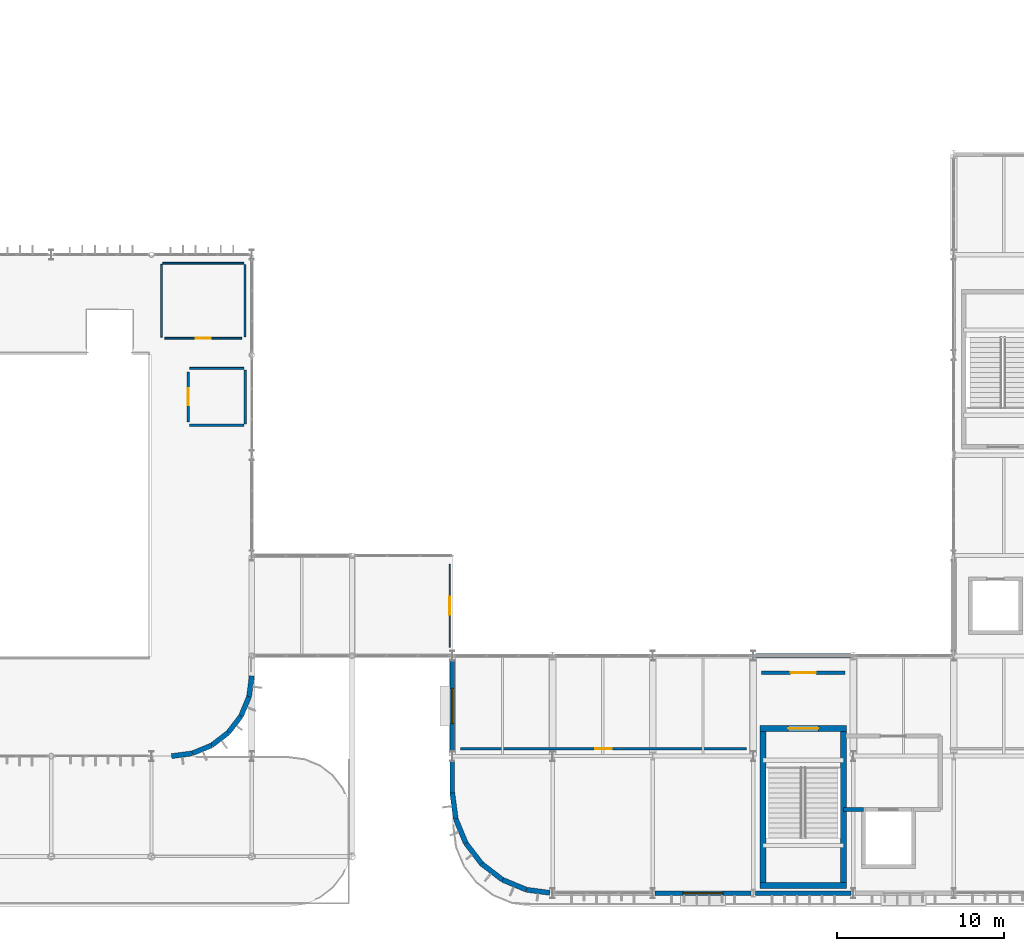
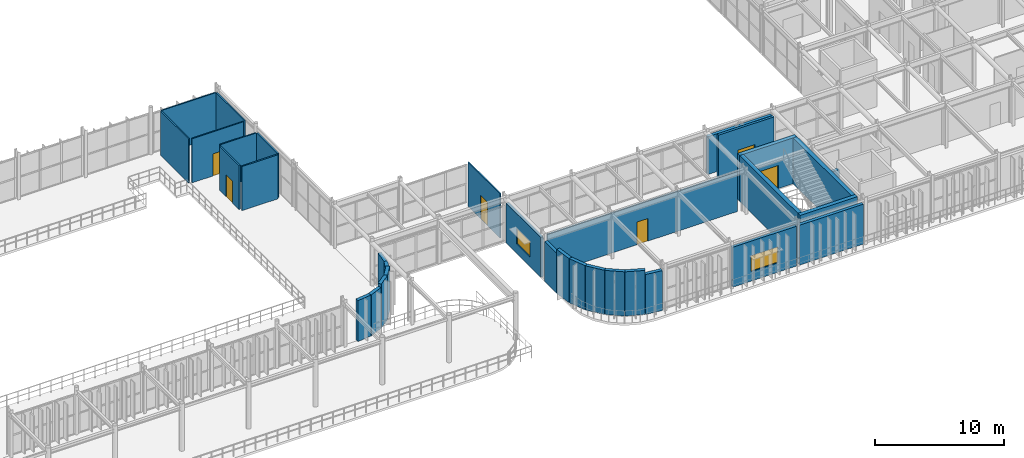
# One storey, part 65 of 96: 33 walls, 6 doors, 2 windows, 8 openings.
"""IFC4 building model written with IfcOpenShell, lengths in metres."""

from ifc_helpers import new_model, si_unit, direction, frame, frame_2d, origin, place, context, subcontext, project, spatial, rectangle, extrude, material, layer, layer_set, type_object, element, fill, save


model = new_model("IFC4")

# Units and contexts
model_context = context("Model", 3, precision=1e-05, world=origin(), true_north=direction((0.0, 1.0)))
body_context = subcontext(model_context, "Body", "Model", "MODEL_VIEW")
ifc_project = project(units=[si_unit("LENGTHUNIT", "METRE"), si_unit("AREAUNIT", "SQUARE_METRE"), si_unit("VOLUMEUNIT", "CUBIC_METRE"), si_unit("PLANEANGLEUNIT", "RADIAN"), si_unit("MASSUNIT", "GRAM", prefix="KILO")], contexts=[model_context])

# Site, building, storey
site_placement = place(None, origin())
site = spatial("IfcSite", under=ifc_project, at=site_placement, CompositionType="ELEMENT")
building_placement = place(site_placement, origin())
building = spatial("IfcBuilding", under=site, at=building_placement, Name="Varnakota Square Police Headquarters", CompositionType="ELEMENT")
storey_placement = place(building_placement, frame((0.0, 0.0, 4.800048828125)))
storey = spatial("IfcBuildingStorey", under=building, at=storey_placement, Name="L01", CompositionType="ELEMENT", Elevation=4.800048828125)

# Walls
ifc_material_1 = material(Name="Concrete M50", Category="concrete")
ifc_layer_1 = layer(ifc_material_1, 0.35009765625, Name="Concrete M50")
ifc_layer_set_1 = layer_set([ifc_layer_1], Name="Concrete M50")
wall_type_1 = type_object("IfcWallType", Name="WL-CORE-350", PredefinedType="SHEAR", material=ifc_layer_set_1)
wall_1_placement = place(storey_placement, frame((126.425048828125, 1.25, 0.0), z_axis=(0.0, 0.0, 1.0), x_axis=(1.0, 0.0, 0.0)))
element("IfcWall", 1, at=wall_1_placement, inside=storey, type_object=wall_type_1, Name="Core C1 shear wall L01 S", PredefinedType="SHEAR", context=body_context, shape_type="SweptSolid", body=[
    extrude(rectangle(XDim=5.14990234375, YDim=0.35009765625, at=frame_2d((2.574951171875, 0.0))), origin(), (0.0, 0.0, 1.0), 4.35986328125),
])
wall_2_placement = place(storey_placement, frame((131.39990234375, 1.074951171875, 0.0), z_axis=(0.0, 0.0, 1.0), x_axis=(0.0, 1.0, 0.0)))
element("IfcWall", 2, at=wall_2_placement, inside=storey, type_object=wall_type_1, Name="Core C1 shear wall L01 E", PredefinedType="SHEAR", context=body_context, shape_type="SweptSolid", body=[
    extrude(rectangle(XDim=9.75, YDim=0.35009765625, at=frame_2d((4.875, 0.0))), origin(), (0.0, 0.0, 1.0), 4.35986328125),
])

# Wall, opening, door
wall_3_placement = place(storey_placement, frame((131.574951171875, 10.64990234375, 0.0), z_axis=(0.0, 0.0, 1.0), x_axis=(-1.0, 0.0, 0.0)))
wall_3 = element("IfcWall", 3, at=wall_3_placement, inside=storey, type_object=wall_type_1, Name="Core C1 shear wall L01 N", PredefinedType="SHEAR", context=body_context, shape_type="SweptSolid", body=[
    extrude(rectangle(XDim=5.14990234375, YDim=0.35009765625, at=frame_2d((2.574951171875, 0.0))), origin(), (0.0, 0.0, 1.0), 4.35986328125),
])
opening_1_placement = place(wall_3_placement, frame((1.675048828125, 0.0, 0.0)))
opening_1 = element("IfcOpeningElement", 4, at=opening_1_placement, cuts=wall_3, Name="Opening SD002", PredefinedType="OPENING", context=body_context, shape_type="SweptSolid", body=[
    extrude(rectangle(XDim=1.800048828125, YDim=2.199951171875, at=frame_2d((0.89990234375, 1.10009765625))), frame((0.0, 0.18505859375, 0.0), z_axis=(0.0, -1.0, 0.0), x_axis=(1.0, 0.0, 0.0)), (0.0, 0.0, 1.0), 0.3701171875),
])
ifc_material_2 = material(Name="Powder-Coated Galvanised Steel", Category="steel")
door_type_1 = type_object("IfcDoorType", Name="DR-ST-180", OperationType="NOTDEFINED", PredefinedType="DOOR", material=ifc_material_2)
door_1_placement = place(opening_1_placement, origin())
door_1 = element("IfcDoor", 5, at=door_1_placement, inside=storey, type_object=door_type_1, Name="Protected stair door SD002", OperationType="DOUBLE_DOOR_SINGLE_SWING", OverallHeight=2.199951171875, OverallWidth=1.800048828125, PredefinedType="DOOR", context=body_context, shape_type="SweptSolid", body=[
    extrude(rectangle(XDim=1.800048828125, YDim=2.199951171875, at=frame_2d((0.89990234375, 1.10009765625))), frame((0.0, 0.02490234375, 0.0), z_axis=(0.0, -1.0, 0.0), x_axis=(1.0, 0.0, 0.0)), (0.0, 0.0, 1.0), 0.050048828125),
])
fill(opening_1, door_1)

# Wall
wall_4_placement = place(storey_placement, frame((126.60009765625, 10.824951171875, 0.0), z_axis=(0.0, 0.0, 1.0), x_axis=(0.0, -1.0, 0.0)))
element("IfcWall", 6, at=wall_4_placement, inside=storey, type_object=wall_type_1, Name="Core C1 shear wall L01 W", PredefinedType="SHEAR", context=body_context, shape_type="SweptSolid", body=[
    extrude(rectangle(XDim=9.75, YDim=0.35009765625, at=frame_2d((4.875, 0.0))), origin(), (0.0, 0.0, 1.0), 4.35986328125),
])

# Wall, opening, window
ifc_material_3 = material(Name="Concrete M40", Category="concrete")
ifc_layer_2 = layer(ifc_material_3, 0.260009765625, Name="Concrete M40")
ifc_layer_set_2 = layer_set([ifc_layer_2], Name="Concrete M40")
wall_type_2 = type_object("IfcWallType", Name="WL-EXT-260", PredefinedType="SOLIDWALL", material=ifc_layer_set_2)
wall_5_placement = place(storey_placement, frame((120.12890625, 0.800048828125, 0.0), z_axis=(0.0, 0.0, 1.0), x_axis=(1.0, 0.0, 0.0)))
wall_5 = element("IfcWall", 7, at=wall_5_placement, inside=storey, type_object=wall_type_2, Name="Exterior wall EW-L01-0141", PredefinedType="SOLIDWALL", context=body_context, shape_type="SweptSolid", body=[
    extrude(rectangle(XDim=5.7421875, YDim=0.260009765625, at=frame_2d((2.87109375, 0.0))), origin(), (0.0, 0.0, 1.0), 3.7900390625),
])
opening_2_placement = place(wall_5_placement, frame((1.6708984375, 0.0, 0.89990234375)))
opening_2 = element("IfcOpeningElement", 8, at=opening_2_placement, cuts=wall_5, Name="Opening W02", PredefinedType="OPENING", context=body_context, shape_type="SweptSolid", body=[
    extrude(rectangle(XDim=2.39990234375, YDim=1.5, at=frame_2d((1.199951171875, 0.75))), frame((0.0, 0.139892578125, 0.0), z_axis=(0.0, -1.0, 0.0), x_axis=(1.0, 0.0, 0.0)), (0.0, 0.0, 1.0), 0.280029296875),
])
ifc_material_4 = material(Name="Thermally Broken Aluminium Double-Glazed Window", Category="aluminium")
window_type_1 = type_object("IfcWindowType", Name="WIN-02", PartitioningType="SINGLE_PANEL", PredefinedType="WINDOW", material=ifc_material_4)
window_1_placement = place(opening_2_placement, origin())
window_1 = element("IfcWindow", 9, at=window_1_placement, inside=storey, type_object=window_type_1, Name="Window WN-L01-0019", OverallHeight=1.5, OverallWidth=2.39990234375, PartitioningType="SINGLE_PANEL", PredefinedType="WINDOW", context=body_context, shape_type="SweptSolid", body=[
    extrude(rectangle(XDim=2.39990234375, YDim=1.5, at=frame_2d((1.199951171875, 0.75))), frame((0.0, 0.030029296875, 0.0), z_axis=(0.0, -1.0, 0.0), x_axis=(1.0, 0.0, 0.0)), (0.0, 0.0, 1.0), 0.06005859375),
])
fill(opening_2, window_1)

# Wall
wall_6_placement = place(storey_placement, frame((108.0, 6.800048828125, 0.0), z_axis=(0.0, 0.0, 1.0), x_axis=(0.0, 1.0, 0.0)))
element("IfcWall", 10, at=wall_6_placement, inside=storey, type_object=wall_type_2, Name="Exterior wall EW-L01-0153", PredefinedType="SOLIDWALL", context=body_context, shape_type="SweptSolid", body=[
    extrude(rectangle(XDim=1.89599609375, YDim=0.260009765625, at=frame_2d((0.947998046875, 0.0))), origin(), (0.0, 0.0, 1.0), 3.783447265625),
])

# Wall, opening, window
wall_7_placement = place(storey_placement, frame((108.0, 9.303955078125, 0.0), z_axis=(0.0, 0.0, 1.0), x_axis=(0.0, 1.0, 0.0)))
wall_7 = element("IfcWall", 11, at=wall_7_placement, inside=storey, type_object=wall_type_2, Name="Exterior wall EW-L01-0154", PredefinedType="SOLIDWALL", context=body_context, shape_type="SweptSolid", body=[
    extrude(rectangle(XDim=5.39208984375, YDim=0.260009765625, at=frame_2d((2.696044921875, 0.0))), origin(), (0.0, 0.0, 1.0), 3.783447265625),
])
opening_3_placement = place(wall_7_placement, frame((1.64599609375, 0.0, 0.89990234375)))
opening_3 = element("IfcOpeningElement", 12, at=opening_3_placement, cuts=wall_7, Name="Opening W08", PredefinedType="OPENING", context=body_context, shape_type="SweptSolid", body=[
    extrude(rectangle(XDim=2.10009765625, YDim=1.5, at=frame_2d((1.050048828125, 0.75))), frame((0.0, 0.139892578125, 0.0), z_axis=(0.0, -1.0, 0.0), x_axis=(1.0, 0.0, 0.0)), (0.0, 0.0, 1.0), 0.280029296875),
])
window_type_2 = type_object("IfcWindowType", Name="WIN-08", PartitioningType="SINGLE_PANEL", PredefinedType="WINDOW", material=ifc_material_4)
window_2_placement = place(opening_3_placement, origin())
window_2 = element("IfcWindow", 13, at=window_2_placement, inside=storey, type_object=window_type_2, Name="Window WN-L01-0022", OverallHeight=1.5, OverallWidth=2.10009765625, PartitioningType="SINGLE_PANEL", PredefinedType="WINDOW", context=body_context, shape_type="SweptSolid", body=[
    extrude(rectangle(XDim=2.10009765625, YDim=1.5, at=frame_2d((1.050048828125, 0.75))), frame((0.0, 0.030029296875, 0.0), z_axis=(0.0, -1.0, 0.0), x_axis=(1.0, 0.0, 0.0)), (0.0, 0.0, 1.0), 0.06005859375),
])
fill(opening_3, window_2)

# Walls
ifc_layer_3 = layer(ifc_material_3, 0.280029296875, Name="Concrete M40")
ifc_layer_set_3 = layer_set([ifc_layer_3], Name="Concrete M40")
wall_type_3 = type_object("IfcWallType", Name="WL-EXT-280", PredefinedType="SOLIDWALL", material=ifc_layer_set_3)
wall_8_placement = place(storey_placement, frame((126.12890625, 0.800048828125, 0.0), z_axis=(0.0, 0.0, 1.0), x_axis=(1.0, 0.0, 0.0)))
element("IfcWall", 14, at=wall_8_placement, inside=storey, type_object=wall_type_3, Name="Exterior wall EW-L01-0142", PredefinedType="SOLIDWALL", context=body_context, shape_type="SweptSolid", body=[
    extrude(rectangle(XDim=5.7421875, YDim=0.280029296875, at=frame_2d((2.87109375, 0.0))), origin(), (0.0, 0.0, 1.0), 3.7900390625),
])
wall_9_placement = place(storey_placement, frame((126.12890625, 15.0, 0.0), z_axis=(0.0, 0.0, 1.0), x_axis=(1.0, 0.0, 0.0)))
element("IfcWall", 15, at=wall_9_placement, inside=storey, type_object=wall_type_3, Name="Exterior wall EW-L01-0151", PredefinedType="SOLIDWALL", context=body_context, shape_type="SweptSolid", body=[
    extrude(rectangle(XDim=5.7421875, YDim=0.280029296875, at=frame_2d((2.87109375, 0.0))), origin(), (0.0, 0.0, 1.0), 3.58984375),
])
ifc_material_5 = material(Name="Precast concrete M40", Category="concrete")
ifc_layer_4 = layer(ifc_material_5, 0.300048828125, Name="Precast concrete M40")
ifc_layer_set_4 = layer_set([ifc_layer_4], Name="Precast concrete M40")
wall_type_4 = type_object("IfcWallType", Name="WL-EXT-300", PredefinedType="SOLIDWALL", material=ifc_layer_set_4)
for number, where, z_axis, x_axis, name in (
    (16, (91.199951171875, 9.0, 0.0), (0.0, 0.0, 1.0), (0.991444346045, 0.130530106475, 0.0), "Exterior wall EW-L01-0079"),
    (17, (92.4423828125, 9.16357421875, 0.0), (0.0, 0.0, 1.0), (0.92389335771, 0.382650053678, 0.0), "Exterior wall EW-L01-0080"),
):
    element("IfcWall", number, at=place(storey_placement, frame(where, z_axis=z_axis, x_axis=x_axis)), inside=storey, type_object=wall_type_4, Name=name, PredefinedType="SOLIDWALL", context=body_context, shape_type="SweptSolid", body=[
        extrude(rectangle(XDim=1.253173828125, YDim=0.300048828125, at=frame_2d((0.62646484375, 0.0))), origin(), (0.0, 0.0, 1.0), 3.889892578125),
    ])
for number, where, z_axis, x_axis, name in (
    (18, (93.60009765625, 9.64306640625, 0.0), (0.0, 0.0, 1.0), (0.793239285824, 0.60891003886, 0.0), "Exterior wall EW-L01-0081"),
    (19, (94.593994140625, 10.406005859375, 0.0), (0.0, 0.0, 1.0), (0.60891003886, 0.793239285824, 0.0), "Exterior wall EW-L01-0082"),
):
    element("IfcWall", number, at=place(storey_placement, frame(where, z_axis=z_axis, x_axis=x_axis)), inside=storey, type_object=wall_type_4, Name=name, PredefinedType="SOLIDWALL", context=body_context, shape_type="SweptSolid", body=[
        extrude(rectangle(XDim=1.2529296875, YDim=0.300048828125, at=frame_2d((0.62646484375, 0.0))), origin(), (0.0, 0.0, 1.0), 4.195068359375),
    ])
for number, where, z_axis, x_axis, name in (
    (20, (95.35693359375, 11.39990234375, 0.0), (0.0, 0.0, 1.0), (0.382650053678, 0.92389335771, 0.0), "Exterior wall EW-L01-0083"),
    (21, (95.83642578125, 12.5576171875, 0.0), (0.0, 0.0, 1.0), (0.130530106475, 0.991444346045, 0.0), "Exterior wall EW-L01-0084"),
):
    element("IfcWall", number, at=place(storey_placement, frame(where, z_axis=z_axis, x_axis=x_axis)), inside=storey, type_object=wall_type_4, Name=name, PredefinedType="SOLIDWALL", context=body_context, shape_type="SweptSolid", body=[
        extrude(rectangle(XDim=1.253173828125, YDim=0.300048828125, at=frame_2d((0.62646484375, 0.0))), origin(), (0.0, 0.0, 1.0), 3.783447265625),
    ])
wall_10_placement = place(storey_placement, frame((108.0, 6.800048828125, 0.0), z_axis=(0.0, 0.0, 1.0), x_axis=(0.130458544462, -0.991453765022, 0.0)))
element("IfcWall", 22, at=wall_10_placement, inside=storey, type_object=wall_type_4, Name="Exterior wall EW-L01-0158", PredefinedType="SOLIDWALL", context=body_context, shape_type="SweptSolid", body=[
    extrude(rectangle(XDim=1.56640625, YDim=0.300048828125, at=frame_2d((0.783203125, 0.0))), origin(), (0.0, 0.0, 1.0), 4.195068359375),
])
wall_11_placement = place(storey_placement, frame((108.204345703125, 5.2470703125, 0.0), z_axis=(0.0, 0.0, 1.0), x_axis=(0.382677606907, -0.923881945474, 0.0)))
element("IfcWall", 23, at=wall_11_placement, inside=storey, type_object=wall_type_4, Name="Exterior wall EW-L01-0159", PredefinedType="SOLIDWALL", context=body_context, shape_type="SweptSolid", body=[
    extrude(rectangle(XDim=1.566162109375, YDim=0.300048828125, at=frame_2d((0.783203125, 0.0))), origin(), (0.0, 0.0, 1.0), 4.195068359375),
])
for number, where, z_axis, x_axis, name in (
    (24, (108.8037109375, 3.800048828125, 0.0), (0.0, 0.0, 1.0), (0.608791411033, -0.793330333374, 0.0), "Exterior wall EW-L01-0160"),
    (25, (109.75732421875, 2.557373046875, 0.0), (0.0, 0.0, 1.0), (0.793330333374, -0.608791411033, 0.0), "Exterior wall EW-L01-0161"),
):
    element("IfcWall", number, at=place(storey_placement, frame(where, z_axis=z_axis, x_axis=x_axis)), inside=storey, type_object=wall_type_4, Name=name, PredefinedType="SOLIDWALL", context=body_context, shape_type="SweptSolid", body=[
        extrude(rectangle(XDim=1.56640625, YDim=0.300048828125, at=frame_2d((0.783203125, 0.0))), origin(), (0.0, 0.0, 1.0), 4.195068359375),
    ])
wall_12_placement = place(storey_placement, frame((111.0, 1.603759765625, 0.0), z_axis=(0.0, 0.0, 1.0), x_axis=(0.923881945474, -0.382677606907, 0.0)))
element("IfcWall", 26, at=wall_12_placement, inside=storey, type_object=wall_type_4, Name="Exterior wall EW-L01-0162", PredefinedType="SOLIDWALL", context=body_context, shape_type="SweptSolid", body=[
    extrude(rectangle(XDim=1.566162109375, YDim=0.300048828125, at=frame_2d((0.783203125, 0.0))), origin(), (0.0, 0.0, 1.0), 4.195068359375),
])
wall_13_placement = place(storey_placement, frame((112.447021484375, 1.00439453125, 0.0), z_axis=(0.0, 0.0, 1.0), x_axis=(0.991445978877, -0.130517703661, 0.0)))
element("IfcWall", 27, at=wall_13_placement, inside=storey, type_object=wall_type_4, Name="Exterior wall EW-L01-0163", PredefinedType="SOLIDWALL", context=body_context, shape_type="SweptSolid", body=[
    extrude(rectangle(XDim=1.399169921875, YDim=0.300048828125, at=frame_2d((0.69970703125, 0.0))), origin(), (0.0, 0.0, 1.0), 3.7900390625),
])

# Wall, opening, door
ifc_material_6 = material(Name="Glazed Clean-Lab Modular Partition", Category="gypsum")
ifc_layer_5 = layer(ifc_material_6, 0.10498046875, Name="Glazed Clean-Lab Modular Partition")
ifc_layer_set_5 = layer_set([ifc_layer_5], Name="Glazed Clean-Lab Modular Partition")
wall_type_5 = type_object("IfcWallType", Name="WL-PRT-105", PredefinedType="PARTITIONING", material=ifc_layer_set_5)
wall_14_placement = place(storey_placement, frame((95.39990234375, 34.0, 0.0), z_axis=(0.0, 0.0, 1.0), x_axis=(-1.0, 0.0, 0.0)))
wall_14 = element("IfcWall", 28, at=wall_14_placement, inside=storey, type_object=wall_type_5, Name="Interior partition PW-L01-0088 (L01 Public Women Washroom WC)", PredefinedType="PARTITIONING", context=body_context, shape_type="SweptSolid", body=[
    extrude(rectangle(XDim=4.599853515625, YDim=0.10498046875, at=frame_2d((2.2998046875, 0.0))), origin(), (0.0, 0.0, 1.0), 4.18994140625),
])
opening_4_placement = place(wall_14_placement, frame((1.85009765625, 0.0, 0.0)))
opening_4 = element("IfcOpeningElement", 29, at=opening_4_placement, cuts=wall_14, Name="Opening D194", PredefinedType="OPENING", context=body_context, shape_type="SweptSolid", body=[
    extrude(rectangle(XDim=0.89990234375, YDim=2.10009765625, at=frame_2d((0.449951171875, 1.050048828125))), frame((0.0, 0.0625, 0.0), z_axis=(0.0, -1.0, 0.0), x_axis=(1.0, 0.0, 0.0)), (0.0, 0.0, 1.0), 0.125),
])
ifc_material_7 = material(Name="High-Pressure Moisture-Resistant Compact Laminate")
door_type_2 = type_object("IfcDoorType", Name="DR-WC-090", OperationType="NOTDEFINED", PredefinedType="DOOR", material=ifc_material_7)
door_2_placement = place(opening_4_placement, origin())
door_2 = element("IfcDoor", 30, at=door_2_placement, inside=storey, type_object=door_type_2, Name="Room door D194 (L01 Public Women Washroom WC)", OperationType="SINGLE_SWING_RIGHT", OverallHeight=2.10009765625, OverallWidth=0.89990234375, PredefinedType="DOOR", context=body_context, shape_type="SweptSolid", body=[
    extrude(rectangle(XDim=0.89990234375, YDim=2.10009765625, at=frame_2d((0.449951171875, 1.050048828125))), frame((0.0, 0.02490234375, 0.0), z_axis=(0.0, -1.0, 0.0), x_axis=(1.0, 0.0, 0.0)), (0.0, 0.0, 1.0), 0.050048828125),
])
fill(opening_4, door_2)

wall_15_placement = place(storey_placement, frame((107.85009765625, 20.5, 0.0), z_axis=(0.0, 0.0, 1.0), x_axis=(0.0, -1.0, 0.0)))
wall_15 = element("IfcWall", 31, at=wall_15_placement, inside=storey, type_object=wall_type_5, Name="Interior partition PW-L01-0095 (East Civic Link Walkway)", PredefinedType="PARTITIONING", context=body_context, shape_type="SweptSolid", body=[
    extrude(rectangle(XDim=5.0, YDim=0.10498046875, at=frame_2d((2.5, 0.0))), origin(), (0.0, 0.0, 1.0), 4.18994140625),
])
opening_5_placement = place(wall_15_placement, frame((1.97509765625, 0.0, 0.0)))
opening_5 = element("IfcOpeningElement", 32, at=opening_5_placement, cuts=wall_15, Name="Opening D201", PredefinedType="OPENING", context=body_context, shape_type="SweptSolid", body=[
    extrude(rectangle(XDim=1.050048828125, YDim=2.199951171875, at=frame_2d((0.52490234375, 1.10009765625))), frame((0.0, 0.0625, 0.0), z_axis=(0.0, -1.0, 0.0), x_axis=(1.0, 0.0, 0.0)), (0.0, 0.0, 1.0), 0.125),
])
ifc_material_8 = material(Name="Anodised Aluminium and Laminated Acoustic Glass", Category="aluminium")
door_type_3 = type_object("IfcDoorType", Name="DR-OFF-105", OperationType="NOTDEFINED", PredefinedType="DOOR", material=ifc_material_8)
door_3_placement = place(opening_5_placement, origin())
door_3 = element("IfcDoor", 33, at=door_3_placement, inside=storey, type_object=door_type_3, Name="Room door D201 (East Civic Link Walkway)", OperationType="SINGLE_SWING_RIGHT", OverallHeight=2.199951171875, OverallWidth=1.050048828125, PredefinedType="DOOR", context=body_context, shape_type="SweptSolid", body=[
    extrude(rectangle(XDim=1.050048828125, YDim=2.199951171875, at=frame_2d((0.52490234375, 1.10009765625))), frame((0.0, 0.02490234375, 0.0), z_axis=(0.0, -1.0, 0.0), x_axis=(1.0, 0.0, 0.0)), (0.0, 0.0, 1.0), 0.050048828125),
])
fill(opening_5, door_3)

# Walls
wall_16_placement = place(storey_placement, frame((90.679931640625, 38.5, 0.0), z_axis=(0.0, 0.0, 1.0), x_axis=(1.0, 0.0, 0.0)))
element("IfcWall", 34, at=wall_16_placement, inside=storey, type_object=wall_type_5, Name="Interior dividing partition PW-L01-0123 (L01 Public Women Washroom WC)", PredefinedType="PARTITIONING", context=body_context, shape_type="SweptSolid", body=[
    extrude(rectangle(XDim=4.840087890625, YDim=0.10498046875, at=frame_2d((2.419921875, 0.0))), origin(), (0.0, 0.0, 1.0), 4.18994140625),
])
ifc_material_9 = material(Name="Moisture-Resistant Tile-Backed Partition", Category="gypsum")
ifc_layer_6 = layer(ifc_material_9, 0.114990234375, Name="Moisture-Resistant Tile-Backed Partition")
ifc_layer_set_6 = layer_set([ifc_layer_6], Name="Moisture-Resistant Tile-Backed Partition")
wall_type_6 = type_object("IfcWallType", Name="WL-PRT-115", PredefinedType="PARTITIONING", material=ifc_layer_set_6)
wall_17_placement = place(storey_placement, frame((90.60009765625, 34.080078125, 0.0), z_axis=(0.0, 0.0, 1.0), x_axis=(0.0, 1.0, 0.0)))
element("IfcWall", 35, at=wall_17_placement, inside=storey, type_object=wall_type_6, Name="Interior dividing partition PW-L01-0122 (L01 Public Women Washroom WC)", PredefinedType="PARTITIONING", context=body_context, shape_type="SweptSolid", body=[
    extrude(rectangle(XDim=4.33984375, YDim=0.114990234375, at=frame_2d((2.169921875, 0.0))), origin(), (0.0, 0.0, 1.0), 4.18994140625),
])
wall_18_placement = place(storey_placement, frame((92.280029296875, 32.199951171875, 0.0), z_axis=(0.0, 0.0, 1.0), x_axis=(1.0, 0.0, 0.0)))
element("IfcWall", 36, at=wall_18_placement, inside=storey, type_object=wall_type_6, Name="Interior dividing partition PW-L01-0126 (L01 Public Accessible WC)", PredefinedType="PARTITIONING", context=body_context, shape_type="SweptSolid", body=[
    extrude(rectangle(XDim=3.239990234375, YDim=0.114990234375, at=frame_2d((1.6201171875, 0.0))), origin(), (0.0, 0.0, 1.0), 4.18994140625),
])
ifc_material_10 = material(Name="Acoustic Insulated Metal-Stud Partition", Category="gypsum")
ifc_layer_7 = layer(ifc_material_10, 0.125, Name="Acoustic Insulated Metal-Stud Partition")
ifc_layer_set_7 = layer_set([ifc_layer_7], Name="Acoustic Insulated Metal-Stud Partition")
wall_type_7 = type_object("IfcWallType", Name="WL-PRT-125", PredefinedType="PARTITIONING", material=ifc_layer_set_7)
wall_19_placement = place(storey_placement, frame((95.60009765625, 38.419921875, 0.0), z_axis=(0.0, 0.0, 1.0), x_axis=(0.0, -1.0, 0.0)))
element("IfcWall", 37, at=wall_19_placement, inside=storey, type_object=wall_type_7, Name="Interior dividing partition PW-L01-0121 (L01 Public Women Washroom WC)", PredefinedType="PARTITIONING", context=body_context, shape_type="SweptSolid", body=[
    extrude(rectangle(XDim=4.33984375, YDim=0.125, at=frame_2d((2.169921875, 0.0))), origin(), (0.0, 0.0, 1.0), 4.18994140625),
])
wall_20_placement = place(storey_placement, frame((95.52001953125, 28.800048828125, 0.0), z_axis=(0.0, 0.0, 1.0), x_axis=(-1.0, 0.0, 0.0)))
element("IfcWall", 38, at=wall_20_placement, inside=storey, type_object=wall_type_7, Name="Interior dividing partition PW-L01-0125 (L01 Public Accessible WC)", PredefinedType="PARTITIONING", context=body_context, shape_type="SweptSolid", body=[
    extrude(rectangle(XDim=3.239990234375, YDim=0.125, at=frame_2d((1.6201171875, 0.0))), origin(), (0.0, 0.0, 1.0), 4.18994140625),
])

# Wall, opening, door
ifc_layer_8 = layer(ifc_material_10, 0.139892578125, Name="Acoustic Insulated Metal-Stud Partition")
ifc_layer_set_8 = layer_set([ifc_layer_8], Name="Acoustic Insulated Metal-Stud Partition")
wall_type_8 = type_object("IfcWallType", Name="WL-PRT-140", PredefinedType="PARTITIONING", material=ifc_layer_set_8)
wall_21_placement = place(storey_placement, frame((92.199951171875, 29.0, 0.0), z_axis=(0.0, 0.0, 1.0), x_axis=(0.0, 1.0, 0.0)))
wall_21 = element("IfcWall", 39, at=wall_21_placement, inside=storey, type_object=wall_type_8, Name="Interior partition PW-L01-0089 (L01 Public Accessible WC)", PredefinedType="PARTITIONING", context=body_context, shape_type="SweptSolid", body=[
    extrude(rectangle(XDim=3.0, YDim=0.139892578125, at=frame_2d((1.5, 0.0))), origin(), (0.0, 0.0, 1.0), 4.18994140625),
])
opening_6_placement = place(wall_21_placement, frame((1.0, 0.0, 0.0)))
opening_6 = element("IfcOpeningElement", 40, at=opening_6_placement, cuts=wall_21, Name="Opening D195", PredefinedType="OPENING", context=body_context, shape_type="SweptSolid", body=[
    extrude(rectangle(XDim=1.0, YDim=2.10009765625, at=frame_2d((0.5, 1.050048828125))), frame((0.0, 0.079833984375, 0.0), z_axis=(0.0, -1.0, 0.0), x_axis=(1.0, 0.0, 0.0)), (0.0, 0.0, 1.0), 0.159912109375),
])
ifc_material_11 = material(Name="Antimicrobial High-Pressure Compact Laminate")
door_type_4 = type_object("IfcDoorType", Name="DR-WCA-100", OperationType="NOTDEFINED", PredefinedType="DOOR", material=ifc_material_11)
door_4_placement = place(opening_6_placement, origin())
door_4 = element("IfcDoor", 41, at=door_4_placement, inside=storey, type_object=door_type_4, Name="Room door D195 (L01 Public Accessible WC)", OperationType="SINGLE_SWING_LEFT", OverallHeight=2.10009765625, OverallWidth=1.0, PredefinedType="DOOR", context=body_context, shape_type="SweptSolid", body=[
    extrude(rectangle(XDim=1.0, YDim=2.10009765625, at=frame_2d((0.5, 1.050048828125))), frame((0.0, 0.02490234375, 0.0), z_axis=(0.0, -1.0, 0.0), x_axis=(1.0, 0.0, 0.0)), (0.0, 0.0, 1.0), 0.050048828125),
])
fill(opening_6, door_4)

wall_22_placement = place(storey_placement, frame((108.5, 9.449951171875, 0.0), z_axis=(0.0, 0.0, 1.0), x_axis=(1.0, 0.0, 0.0)))
wall_22 = element("IfcWall", 42, at=wall_22_placement, inside=storey, type_object=wall_type_8, Name="Interior partition PW-L01-0096 (Metropolitan Patrol Operations Suite)", PredefinedType="PARTITIONING", context=body_context, shape_type="SweptSolid", body=[
    extrude(rectangle(XDim=17.10009765625, YDim=0.139892578125, at=frame_2d((8.550048828125, 0.0))), origin(), (0.0, 0.0, 1.0), 3.783447265625),
])
opening_7_placement = place(wall_22_placement, frame((8.050048828125, 0.0, 0.0)))
opening_7 = element("IfcOpeningElement", 43, at=opening_7_placement, cuts=wall_22, Name="Opening D202", PredefinedType="OPENING", context=body_context, shape_type="SweptSolid", body=[
    extrude(rectangle(XDim=1.0, YDim=2.14990234375, at=frame_2d((0.5, 1.074951171875))), frame((0.0, 0.079833984375, 0.0), z_axis=(0.0, -1.0, 0.0), x_axis=(1.0, 0.0, 0.0)), (0.0, 0.0, 1.0), 0.159912109375),
])
ifc_material_12 = material(Name="Solid-Core Teak Veneer Hardwood", Category="wood")
door_type_5 = type_object("IfcDoorType", Name="DR-OFF-100", OperationType="NOTDEFINED", PredefinedType="DOOR", material=ifc_material_12)
door_5_placement = place(opening_7_placement, origin())
door_5 = element("IfcDoor", 44, at=door_5_placement, inside=storey, type_object=door_type_5, Name="Room door D202 (Metropolitan Patrol Operations Suite)", OperationType="SINGLE_SWING_LEFT", OverallHeight=2.14990234375, OverallWidth=1.0, PredefinedType="DOOR", context=body_context, shape_type="SweptSolid", body=[
    extrude(rectangle(XDim=1.0, YDim=2.14990234375, at=frame_2d((0.5, 1.074951171875))), frame((0.0, 0.02490234375, 0.0), z_axis=(0.0, -1.0, 0.0), x_axis=(1.0, 0.0, 0.0)), (0.0, 0.0, 1.0), 0.050048828125),
])
fill(opening_7, door_5)

# Wall
wall_23_placement = place(storey_placement, frame((95.60009765625, 32.1201171875, 0.0), z_axis=(0.0, 0.0, 1.0), x_axis=(0.0, -1.0, 0.0)))
element("IfcWall", 45, at=wall_23_placement, inside=storey, type_object=wall_type_8, Name="Interior dividing partition PW-L01-0124 (L01 Public Accessible WC)", PredefinedType="PARTITIONING", context=body_context, shape_type="SweptSolid", body=[
    extrude(rectangle(XDim=3.240234375, YDim=0.139892578125, at=frame_2d((1.6201171875, 0.0))), origin(), (0.0, 0.0, 1.0), 4.18994140625),
])

# Wall, opening, door
ifc_layer_9 = layer(ifc_material_3, 0.215087890625, Name="Concrete M40")
ifc_layer_set_9 = layer_set([ifc_layer_9], Name="Concrete M40")
wall_type_9 = type_object("IfcWallType", Name="WL-PRT-215F", PredefinedType="PARTITIONING", material=ifc_layer_set_9)
wall_24_placement = place(storey_placement, frame((126.5, 14.0, 0.0), z_axis=(0.0, 0.0, 1.0), x_axis=(1.0, 0.0, 0.0)))
wall_24 = element("IfcWall", 46, at=wall_24_placement, inside=storey, type_object=wall_type_9, Name="Core C1 lobby fire partition L01", PredefinedType="PARTITIONING", context=body_context, shape_type="SweptSolid", body=[
    extrude(rectangle(XDim=5.0, YDim=0.215087890625, at=frame_2d((2.5, 0.0))), origin(), (0.0, 0.0, 1.0), 4.18994140625),
])
opening_8_placement = place(wall_24_placement, frame((1.75, 0.0, 0.0)))
opening_8 = element("IfcOpeningElement", 47, at=opening_8_placement, cuts=wall_24, Name="Opening FD011", PredefinedType="OPENING", context=body_context, shape_type="SweptSolid", body=[
    extrude(rectangle(XDim=1.5, YDim=2.14990234375, at=frame_2d((0.75, 1.074951171875))), frame((0.0, 0.117431640625, 0.0), z_axis=(0.0, -1.0, 0.0), x_axis=(1.0, 0.0, 0.0)), (0.0, 0.0, 1.0), 0.235107421875),
])
ifc_material_13 = material(Name="Smoke-Sealed Galvanised Acoustic Steel", Category="steel")
door_type_6 = type_object("IfcDoorType", Name="DR-FFL-150", OperationType="NOTDEFINED", PredefinedType="DOOR", material=ifc_material_13)
door_6_placement = place(opening_8_placement, origin())
door_6 = element("IfcDoor", 48, at=door_6_placement, inside=storey, type_object=door_type_6, Name="Core lobby smoke door FD011", OperationType="DOUBLE_DOOR_SINGLE_SWING", OverallHeight=2.14990234375, OverallWidth=1.5, PredefinedType="DOOR", context=body_context, shape_type="SweptSolid", body=[
    extrude(rectangle(XDim=1.5, YDim=2.14990234375, at=frame_2d((0.75, 1.074951171875))), frame((0.0, 0.02490234375, 0.0), z_axis=(0.0, -1.0, 0.0), x_axis=(1.0, 0.0, 0.0)), (0.0, 0.0, 1.0), 0.050048828125),
])
fill(opening_8, door_6)

# Wall
ifc_layer_10 = layer(ifc_material_3, 0.25, Name="Concrete M40")
ifc_layer_set_10 = layer_set([ifc_layer_10], Name="Concrete M40")
wall_type_10 = type_object("IfcWallType", Name="WL-PRT-250F", PredefinedType="PARTITIONING", material=ifc_layer_set_10)
wall_25_placement = place(storey_placement, frame((131.39990234375, 5.800048828125, 0.0), z_axis=(0.0, 0.0, 1.0), x_axis=(1.0, 0.0, 0.0)))
element("IfcWall", 49, at=wall_25_placement, inside=storey, type_object=wall_type_10, Name="Firefighting lobby return wall C1 L01 SW", PredefinedType="PARTITIONING", context=body_context, shape_type="SweptSolid", body=[
    extrude(rectangle(XDim=1.2001953125, YDim=0.25, at=frame_2d((0.60009765625, 0.0))), origin(), (0.0, 0.0, 1.0), 3.7900390625),
])

save(model, "model.ifc")
